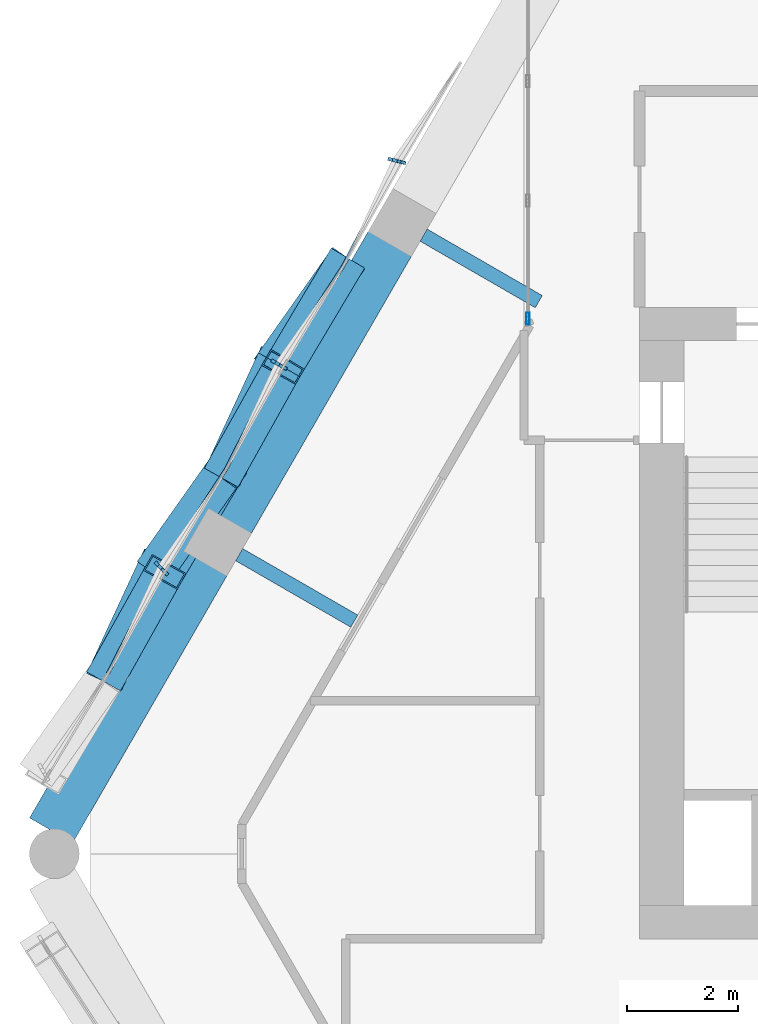
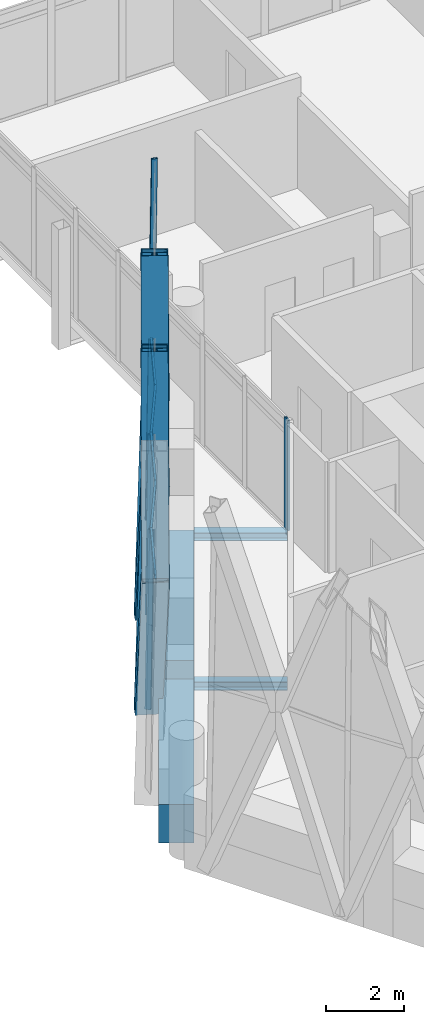
# One storey, part 16 of 37: 20 members, 4 beams, 3 elements without a shape of their own.
"""IFC4 building model written with IfcOpenShell, lengths in metres."""

from ifc_helpers import new_model, si_unit, direction, frame, origin, origin_2d, place, context, subcontext, project, spatial, rectangle, hollow_rectangle, i_section, extrude, material, material_profile, profile_set, type_object, element, aggregate, save


model = new_model("IFC4")

# Units and contexts
model_context = context("Model", 3, precision=1e-05, world=origin(), true_north=direction((0.0, 1.0)))
body_context = subcontext(model_context, "Body", "Model", "MODEL_VIEW")
ifc_project = project(units=[si_unit("LENGTHUNIT", "METRE"), si_unit("AREAUNIT", "SQUARE_METRE"), si_unit("VOLUMEUNIT", "CUBIC_METRE"), si_unit("PLANEANGLEUNIT", "RADIAN"), si_unit("MASSUNIT", "GRAM", prefix="KILO")], contexts=[model_context])

# Site, building, storey
site_placement = place(None, origin())
site = spatial("IfcSite", under=ifc_project, at=site_placement, CompositionType="ELEMENT")
building_placement = place(site_placement, origin())
building = spatial("IfcBuilding", under=site, at=building_placement, Name="Ostrander Bayou Hotel Tower", CompositionType="ELEMENT")
storey_placement = place(building_placement, frame((0.0, 0.0, 225.75)))
storey = spatial("IfcBuildingStorey", under=building, at=storey_placement, Name="L56", CompositionType="ELEMENT", Elevation=225.75)

# Curtain wall, member
ifc_material_1 = material(Name="Aluminium and clear glass", Category="aluminium")
curtain_wall_type_1 = type_object("IfcCurtainWallType", Name="CW-BAR glazed wall", PredefinedType="NOTDEFINED", material=ifc_material_1)
curtain_wall_1_placement = place(storey_placement, origin())
curtain_wall_1 = element("IfcCurtainWall", 1, at=curtain_wall_1_placement, inside=storey, type_object=curtain_wall_type_1, Name="CW-BAR L56:SB5N:E", PredefinedType="NOTDEFINED")
ifc_material_2 = material(Name="Aluminium", Category="aluminium")
ifc_material_profile_1 = material_profile(ifc_material_2, hollow_rectangle(XDim=0.06005859375, YDim=0.219970703125, WallThickness=0.00390625, at=origin_2d()))
ifc_profile_set_1 = profile_set([ifc_material_profile_1], Name="Aluminium")
member_type_1 = type_object("IfcMemberType", Name="CW-BR mullion 60 x 220 mm", PredefinedType="MULLION", material=ifc_profile_set_1)
member_1_placement = place(storey_placement, frame((-10.51220703125, 9.4951171875, 0.0), z_axis=(0.0, 0.0, 1.0), x_axis=(-1.0, 0.0, 0.0)))
member_1 = element("IfcMember", 2, at=member_1_placement, type_object=member_type_1, Name="CW-BAR mullion 1", PredefinedType="MULLION", context=body_context, shape_type="SweptSolid", body=[
    extrude(hollow_rectangle(XDim=0.06005859375, YDim=0.219970703125, WallThickness=0.00390625, at=origin_2d()), origin(), (0.0, 0.0, 1.0), 3.449951171875),
])
aggregate(curtain_wall_1, [member_1])

# Curtain wall, members
ifc_material_3 = material(Name="Aluminium and clear glass", Category="aluminium")
curtain_wall_type_2 = type_object("IfcCurtainWallType", Name="CW-LAT lattice glazing", PredefinedType="NOTDEFINED", material=ifc_material_3)
curtain_wall_2_placement = place(storey_placement, origin())
curtain_wall_2 = element("IfcCurtainWall", 3, at=curtain_wall_2_placement, inside=storey, type_object=curtain_wall_type_2, Name="CW-LAT L56 NW 1", PredefinedType="NOTDEFINED")
ifc_material_4 = material(Name="Aluminium", Category="aluminium")
ifc_material_profile_2 = material_profile(ifc_material_4, hollow_rectangle(XDim=0.06005859375, YDim=0.159912109375, WallThickness=0.00390625, at=origin_2d()))
ifc_profile_set_2 = profile_set([ifc_material_profile_2], Name="Aluminium")
member_type_2 = type_object("IfcMemberType", Name="CW-LA mullion 60 x 160 mm", PredefinedType="MULLION", material=ifc_profile_set_2)
member_2_placement = place(storey_placement, frame((-12.962646484375, 12.36083984375, -0.60009765625), z_axis=(0.014711851516, -0.003645414535, 0.999885129591), x_axis=(0.24051397288, 0.970645676264, 0.0)))
member_2 = element("IfcMember", 4, at=member_2_placement, type_object=member_type_2, Name="CW-LAT mullion 1", PredefinedType="MULLION", context=body_context, shape_type="SweptSolid", body=[
    extrude(hollow_rectangle(XDim=0.06005859375, YDim=0.159912109375, WallThickness=0.00390625, at=origin_2d()), origin(), (0.0, 0.0, 1.0), 5.625732421875),
])
member_3_placement = place(storey_placement, frame((-12.8798828125, 12.34033203125, 5.02490234375), z_axis=(0.014711851516, -0.003645414535, 0.999885129591), x_axis=(0.24051397288, 0.970645676264, 0.0)))
member_3 = element("IfcMember", 5, at=member_3_placement, type_object=member_type_2, Name="CW-LAT mullion 2", PredefinedType="MULLION", context=body_context, shape_type="SweptSolid", body=[
    extrude(hollow_rectangle(XDim=0.06005859375, YDim=0.159912109375, WallThickness=0.00390625, at=origin_2d()), origin(), (0.0, 0.0, 1.0), 5.625732421875),
])
member_4_placement = place(storey_placement, frame((-15.07421875, 8.703125, -0.60009765625), z_axis=(0.012585478078, -0.007247499445, 0.999894534185), x_axis=(0.499032451057, 0.866583298242, 0.0)))
member_4 = element("IfcMember", 6, at=member_4_placement, type_object=member_type_2, Name="CW-LAT mullion 5", PredefinedType="MULLION", context=body_context, shape_type="SweptSolid", body=[
    extrude(hollow_rectangle(XDim=0.06005859375, YDim=0.159912109375, WallThickness=0.00390625, at=origin_2d()), origin(), (0.0, 0.0, 1.0), 5.62548828125),
])
member_5_placement = place(storey_placement, frame((-15.00341796875, 8.662353515625, 5.02490234375), z_axis=(0.012585474108, -0.007290895345, 0.999894218748), x_axis=(0.501271486133, 0.865290065348, 0.0)))
member_5 = element("IfcMember", 7, at=member_5_placement, type_object=member_type_2, Name="CW-LAT mullion 6", PredefinedType="MULLION", context=body_context, shape_type="SweptSolid", body=[
    extrude(hollow_rectangle(XDim=0.06005859375, YDim=0.159912109375, WallThickness=0.00390625, at=origin_2d()), origin(), (0.0, 0.0, 1.0), 5.62548828125),
])
member_6_placement = place(storey_placement, frame((-17.18603515625, 5.04541015625, -0.60009765625), z_axis=(0.010502269759, -0.010892850039, 0.999885517521), x_axis=(0.719895475853, 0.694082490664, 0.0)))
member_6 = element("IfcMember", 8, at=member_6_placement, type_object=member_type_2, Name="CW-LAT mullion 9", PredefinedType="MULLION", context=body_context, shape_type="SweptSolid", body=[
    extrude(hollow_rectangle(XDim=0.06005859375, YDim=0.159912109375, WallThickness=0.00390625, at=origin_2d()), origin(), (0.0, 0.0, 1.0), 5.625732421875),
])
member_7_placement = place(storey_placement, frame((-17.126953125, 4.984130859375, 5.02490234375), z_axis=(0.010458876707, -0.010892854993, 0.999885972303), x_axis=(0.721329889923, 0.692591647296, 0.0)))
member_7 = element("IfcMember", 9, at=member_7_placement, type_object=member_type_2, Name="CW-LAT mullion 10", PredefinedType="MULLION", context=body_context, shape_type="SweptSolid", body=[
    extrude(hollow_rectangle(XDim=0.06005859375, YDim=0.159912109375, WallThickness=0.00390625, at=origin_2d()), origin(), (0.0, 0.0, 1.0), 5.625732421875),
])
aggregate(curtain_wall_2, [member_2, member_3, member_4, member_5, member_6, member_7])

curtain_wall_3_placement = place(storey_placement, origin())
curtain_wall_3 = element("IfcCurtainWall", 10, at=curtain_wall_3_placement, inside=storey, type_object=curtain_wall_type_2, Name="CW-LAT L56 NW 2", PredefinedType="NOTDEFINED")
ifc_material_5 = material(Name="Aluminium", Category="aluminium")
ifc_material_profile_3 = material_profile(ifc_material_5, hollow_rectangle(XDim=0.06005859375, YDim=0.1201171875, WallThickness=0.00390625, at=origin_2d()))
ifc_profile_set_3 = profile_set([ifc_material_profile_3], Name="Aluminium")
member_type_3 = type_object("IfcMemberType", Name="CW-LA transom 60 x 120 mm", PredefinedType="USERDEFINED", material=ifc_profile_set_3)
member_8_placement = place(storey_placement, frame((-12.8798828125, 12.34033203125, 5.02490234375), z_axis=(-0.454317882448, -0.890839638593, 0.0), x_axis=(0.890839638593, -0.454317882448, 0.0)))
member_8 = element("IfcMember", 11, at=member_8_placement, type_object=member_type_3, Name="CW-LAT transom 4", ObjectType="TRANSOM", PredefinedType="USERDEFINED", context=body_context, shape_type="SweptSolid", body=[
    extrude(hollow_rectangle(XDim=0.06005859375, YDim=0.1201171875, WallThickness=0.00390625, at=origin_2d()), origin(), (0.0, 0.0, 1.0), 2.12646484375),
])
member_9_placement = place(storey_placement, frame((-15.00341796875, 8.662353515625, 5.02490234375), z_axis=(0.544350541291, 0.838857847431, 0.0), x_axis=(-0.838857847431, 0.544350541291, 0.0)))
member_9 = element("IfcMember", 12, at=member_9_placement, type_object=member_type_3, Name="CW-LAT transom 7", ObjectType="TRANSOM", PredefinedType="USERDEFINED", context=body_context, shape_type="SweptSolid", body=[
    extrude(hollow_rectangle(XDim=0.06005859375, YDim=0.1201171875, WallThickness=0.00390625, at=origin_2d()), origin(), (0.0, 0.0, 1.0), 2.126220703125),
])
member_10_placement = place(storey_placement, frame((-15.00341796875, 8.662353515625, 5.02490234375), z_axis=(-0.454271418671, -0.890863333053, 0.0), x_axis=(0.890863333053, -0.454271418671, 0.0)))
member_10 = element("IfcMember", 13, at=member_10_placement, type_object=member_type_3, Name="CW-LAT transom 8", ObjectType="TRANSOM", PredefinedType="USERDEFINED", context=body_context, shape_type="SweptSolid", body=[
    extrude(hollow_rectangle(XDim=0.06005859375, YDim=0.1201171875, WallThickness=0.00390625, at=origin_2d()), origin(), (0.0, 0.0, 1.0), 2.126708984375),
])
member_11_placement = place(storey_placement, frame((-17.126953125, 4.984130859375, 5.02490234375), z_axis=(0.544350541291, 0.838857847431, 0.0), x_axis=(-0.838857847431, 0.544350541291, 0.0)))
member_11 = element("IfcMember", 14, at=member_11_placement, type_object=member_type_3, Name="CW-LAT transom 11", ObjectType="TRANSOM", PredefinedType="USERDEFINED", context=body_context, shape_type="SweptSolid", body=[
    extrude(hollow_rectangle(XDim=0.06005859375, YDim=0.1201171875, WallThickness=0.00390625, at=origin_2d()), origin(), (0.0, 0.0, 1.0), 2.126220703125),
])
member_12_placement = place(storey_placement, frame((-17.126953125, 4.984130859375, 5.02490234375), z_axis=(-0.454317882448, -0.890839638593, 0.0), x_axis=(0.890839638593, -0.454317882448, 0.0)))
member_12 = element("IfcMember", 15, at=member_12_placement, type_object=member_type_3, Name="CW-LAT transom 12", ObjectType="TRANSOM", PredefinedType="USERDEFINED", context=body_context, shape_type="SweptSolid", body=[
    extrude(hollow_rectangle(XDim=0.06005859375, YDim=0.1201171875, WallThickness=0.00390625, at=origin_2d()), origin(), (0.0, 0.0, 1.0), 2.12646484375),
])
aggregate(curtain_wall_3, [member_8, member_9, member_10, member_11, member_12])

# Beams
ifc_material_6 = material(Name="Steel ASTM A992", Category="steel")
ifc_material_profile_4 = material_profile(ifc_material_6, i_section(OverallWidth=0.25390625, OverallDepth=0.25341796875, WebThickness=0.008544921875, FlangeThickness=0.01416015625, at=origin_2d()))
ifc_profile_set_4 = profile_set([ifc_material_profile_4], Name="Steel ASTM A992")
beam_type_1 = type_object("IfcBeamType", Name="LB2 loggia bracket W10x49", PredefinedType="BEAM", material=ifc_profile_set_4)
for number, where, z_axis, x_axis, name in (
    (16, (-12.396484375, 11.00146484375, -0.4267578125), (0.866050077142, -0.499957262057, 0.0), (0.499957262057, 0.866050077142, 0.0), "LB2 L56 NW1"),
    (17, (-15.725830078125, 5.23486328125, -0.4267578125), (0.866050077142, -0.499957262057, 0.0), (0.499957262057, 0.866050077142, 0.0), "LB2 L56 NW2"),
):
    element("IfcBeam", number, at=place(storey_placement, frame(where, z_axis=z_axis, x_axis=x_axis)), inside=storey, type_object=beam_type_1, Name=name, PredefinedType="BEAM", context=body_context, shape_type="SweptSolid", body=[
        extrude(i_section(OverallWidth=0.25390625, OverallDepth=0.25341796875, WebThickness=0.008544921875, FlangeThickness=0.01416015625, at=origin_2d()), origin(), (0.0, 0.0, 1.0), 2.400146484375),
    ])

# Members
ifc_material_7 = material(Name="Steel ASTM A572 Gr 50", Category="steel")
ifc_material_profile_5 = material_profile(ifc_material_7, hollow_rectangle(XDim=0.699951171875, YDim=0.35009765625, WallThickness=0.02490234375, at=origin_2d()))
ifc_profile_set_5 = profile_set([ifc_material_profile_5], Name="Steel ASTM A572 Gr 50")
member_type_4 = type_object("IfcMemberType", Name="LT1 lattice member box 700 x 350 x 25 mm", PredefinedType="BRACE", material=ifc_profile_set_5)
member_13_placement = place(storey_placement, frame((-13.845947265625, 10.446044921875, 5.02490234375), z_axis=(-0.20418216524, -0.289734938908, -0.935073958879), x_axis=(0.817415039758, -0.576049175658, 0.0)))
element("IfcMember", 18, at=member_13_placement, inside=storey, type_object=member_type_4, Name="LT1 L56 NW 1", PredefinedType="BRACE", context=body_context, shape_type="SweptSolid", body=[
    extrude(hollow_rectangle(XDim=0.699951171875, YDim=0.35009765625, WallThickness=0.02490234375, at=origin_2d()), origin(), (0.0, 0.0, 1.0), 6.015625),
])
member_14_placement = place(storey_placement, frame((-13.845947265625, 10.446044921875, 5.02490234375), z_axis=(-0.180732932323, -0.303481899839, 0.935539600254), x_axis=(0.859182190739, -0.511669779366, 0.0)))
element("IfcMember", 19, at=member_14_placement, inside=storey, type_object=member_type_4, Name="LT1 L56 NW 2", PredefinedType="BRACE", context=body_context, shape_type="SweptSolid", body=[
    extrude(hollow_rectangle(XDim=0.699951171875, YDim=0.35009765625, WallThickness=0.02490234375, at=origin_2d()), origin(), (0.0, 0.0, 1.0), 6.012451171875),
])
member_15_placement = place(storey_placement, frame((-15.969482421875, 6.767822265625, 5.02490234375), z_axis=(0.148823515483, 0.321713664367, -0.935067847484), x_axis=(-0.907593775874, 0.419849423001, 0.0)))
element("IfcMember", 20, at=member_15_placement, inside=storey, type_object=member_type_4, Name="LT1 L56 NW 3", PredefinedType="BRACE", context=body_context, shape_type="SweptSolid", body=[
    extrude(hollow_rectangle(XDim=0.699951171875, YDim=0.35009765625, WallThickness=0.02490234375, at=origin_2d()), origin(), (0.0, 0.0, 1.0), 6.015625),
])
member_16_placement = place(storey_placement, frame((-15.969482421875, 6.767822265625, 5.02490234375), z_axis=(0.172449025991, 0.308272428849, 0.935536981122), x_axis=(-0.87272743242, 0.488207772061, 0.0)))
element("IfcMember", 21, at=member_16_placement, inside=storey, type_object=member_type_4, Name="LT1 L56 NW 4", PredefinedType="BRACE", context=body_context, shape_type="SweptSolid", body=[
    extrude(hollow_rectangle(XDim=0.699951171875, YDim=0.35009765625, WallThickness=0.02490234375, at=origin_2d()), origin(), (0.0, 0.0, 1.0), 6.0126953125),
])
member_17_placement = place(storey_placement, frame((-15.969482421875, 6.767822265625, 5.02490234375), z_axis=(-0.202513308805, -0.286721130568, -0.936364967864), x_axis=(0.81680419226, -0.576914995044, 0.0)))
element("IfcMember", 22, at=member_17_placement, inside=storey, type_object=member_type_4, Name="LT1 L56 NW 5", PredefinedType="BRACE", context=body_context, shape_type="SweptSolid", body=[
    extrude(hollow_rectangle(XDim=0.699951171875, YDim=0.35009765625, WallThickness=0.02490234375, at=origin_2d()), origin(), (0.0, 0.0, 1.0), 6.00732421875),
])
member_18_placement = place(storey_placement, frame((-15.969482421875, 6.767822265625, 5.02490234375), z_axis=(-0.182469112527, -0.306426462971, 0.93424185614), x_axis=(0.859203637036, -0.511633765603, 0.0)))
element("IfcMember", 23, at=member_18_placement, inside=storey, type_object=member_type_4, Name="LT1 L56 NW 6", PredefinedType="BRACE", context=body_context, shape_type="SweptSolid", body=[
    extrude(hollow_rectangle(XDim=0.699951171875, YDim=0.35009765625, WallThickness=0.02490234375, at=origin_2d()), origin(), (0.0, 0.0, 1.0), 6.02099609375),
])
member_19_placement = place(storey_placement, frame((-18.093017578125, 3.08984375, 5.02490234375), z_axis=(0.1505637604, 0.324634110581, -0.933779014704), x_axis=(-0.907178836989, 0.420745240876, 0.0)))
element("IfcMember", 24, at=member_19_placement, inside=storey, type_object=member_type_4, Name="LT1 L56 NW 7", PredefinedType="BRACE", context=body_context, shape_type="SweptSolid", body=[
    extrude(hollow_rectangle(XDim=0.699951171875, YDim=0.35009765625, WallThickness=0.02490234375, at=origin_2d()), origin(), (0.0, 0.0, 1.0), 6.02392578125),
])
member_20_placement = place(storey_placement, frame((-18.093017578125, 3.08984375, 5.02490234375), z_axis=(0.17069626733, 0.305285272777, 0.9368370651), x_axis=(-0.872826974424, 0.488029786712, 0.0)))
element("IfcMember", 25, at=member_20_placement, inside=storey, type_object=member_type_4, Name="LT1 L56 NW 8", PredefinedType="BRACE", context=body_context, shape_type="SweptSolid", body=[
    extrude(hollow_rectangle(XDim=0.699951171875, YDim=0.35009765625, WallThickness=0.02490234375, at=origin_2d()), origin(), (0.0, 0.0, 1.0), 6.004150390625),
])

# Beams
ifc_material_8 = material(Name="Concrete f'c 60 MPa", Category="concrete")
ifc_material_profile_6 = material_profile(ifc_material_8, rectangle(XDim=0.89990234375, YDim=1.199951171875, at=origin_2d()))
ifc_profile_set_6 = profile_set([ifc_material_profile_6], Name="Concrete f'c 60 MPa")
beam_type_2 = type_object("IfcBeamType", Name="SP4 spandrel beam 900 x 1200 mm f'c 60 MPa", PredefinedType="SPANDREL", material=ifc_profile_set_6)
beam_1_placement = place(storey_placement, frame((-12.99609375, 10.86279296875, -0.60009765625), z_axis=(-0.499997265274, -0.866026982673, 0.0), x_axis=(0.866026982673, -0.499997265274, 0.0)))
element("IfcBeam", 26, at=beam_1_placement, inside=storey, type_object=beam_type_2, Name="SP4 L56 NW-2", PredefinedType="SPANDREL", context=body_context, shape_type="SweptSolid", body=[
    extrude(rectangle(XDim=0.89990234375, YDim=1.199951171875, at=origin_2d()), origin(), (0.0, 0.0, 1.0), 5.81884765625),
])
beam_2_placement = place(storey_placement, frame((-16.325439453125, 5.09619140625, -0.60009765625), z_axis=(-0.500007442593, -0.866021106759, 0.0), x_axis=(0.866021106759, -0.500007442593, 0.0)))
element("IfcBeam", 27, at=beam_2_placement, inside=storey, type_object=beam_type_2, Name="SP4 L56 NW-3", PredefinedType="SPANDREL", context=body_context, shape_type="SweptSolid", body=[
    extrude(rectangle(XDim=0.89990234375, YDim=1.199951171875, at=origin_2d()), origin(), (0.0, 0.0, 1.0), 5.58642578125),
])

save(model, "model.ifc")
